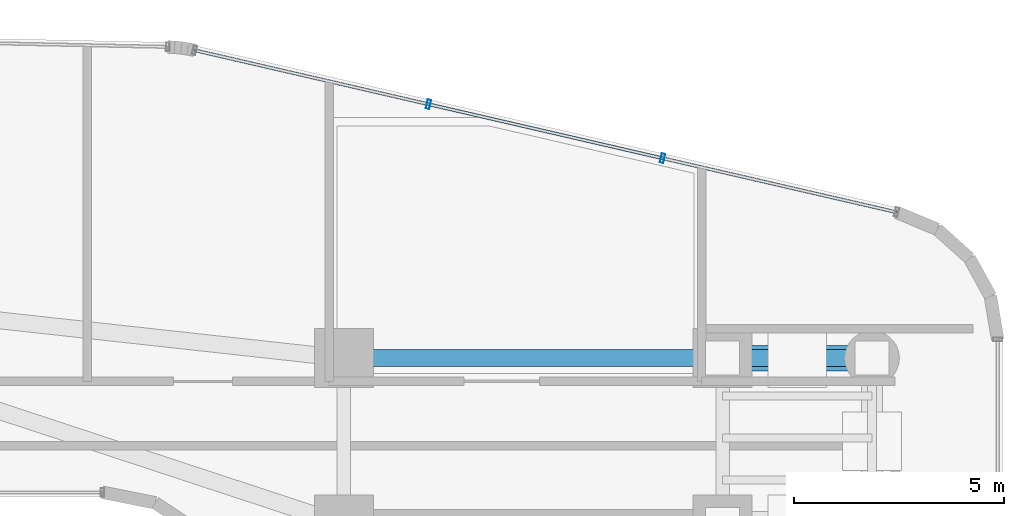
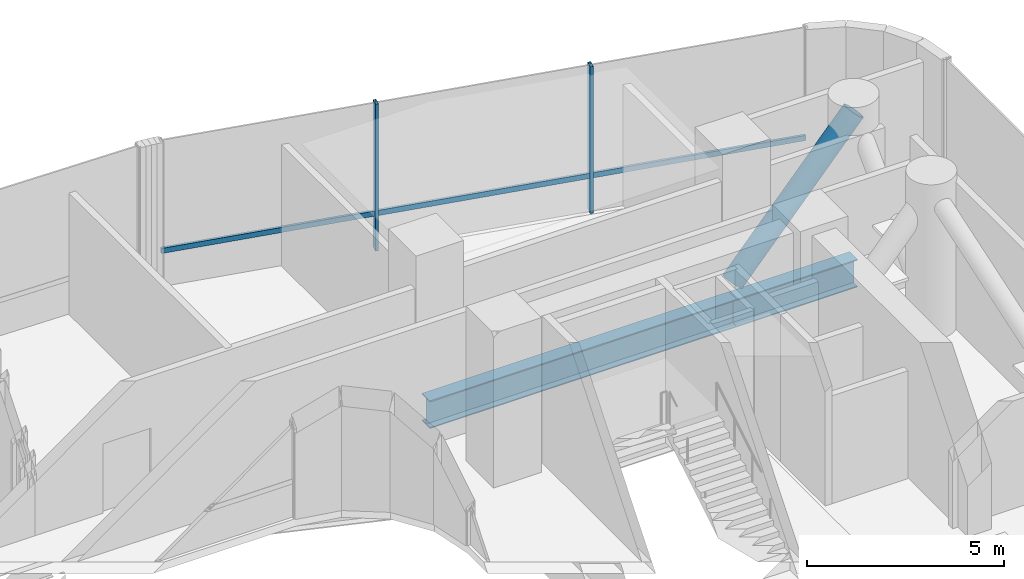
# One storey, part 28 of 39: 4 members, 2 beams, 1 element without a shape of its own.
"""IFC4 building model written with IfcOpenShell, lengths in metres."""

from ifc_helpers import new_model, si_unit, direction, frame, origin, origin_2d, place, context, subcontext, project, spatial, hollow_rectangle, hollow_circle, i_section, extrude, source, transform, mapped, material, material_profile, profile_set, type_object, element, aggregate, save


model = new_model("IFC4")

# Units and contexts
model_context = context("Model", 3, precision=1e-05, world=origin(), true_north=direction((0.0, 1.0)))
body_context = subcontext(model_context, "Body", "Model", "MODEL_VIEW")
ifc_project = project(units=[si_unit("LENGTHUNIT", "METRE"), si_unit("AREAUNIT", "SQUARE_METRE"), si_unit("VOLUMEUNIT", "CUBIC_METRE"), si_unit("PLANEANGLEUNIT", "RADIAN"), si_unit("MASSUNIT", "GRAM", prefix="KILO")], contexts=[model_context])

# Site, building, storey
site_placement = place(None, origin())
site = spatial("IfcSite", under=ifc_project, at=site_placement, CompositionType="ELEMENT")
building_placement = place(site_placement, origin())
building = spatial("IfcBuilding", under=site, at=building_placement, Name="Valdorenza Pilgrim Sanctuary Tower", CompositionType="ELEMENT")
storey_placement = place(building_placement, frame((0.0, 0.0, 96.300048828125)))
storey = spatial("IfcBuildingStorey", under=building, at=storey_placement, Name="L24", CompositionType="ELEMENT", Elevation=96.300048828125)

# Beams
ifc_material_1 = material(Name="Steel ASTM A992 Grade 50", Category="steel")
ifc_material_profile_1 = material_profile(ifc_material_1, i_section(OverallWidth=0.39990234375, OverallDepth=0.862060546875, WebThickness=0.019775390625, FlangeThickness=0.032470703125, at=origin_2d()), Name="W33X221")
ifc_profile_set_1 = profile_set([ifc_material_profile_1], Name="Steel ASTM A992 Grade 50")
beam_type = type_object("IfcBeamType", Name="STR-BM-GRD-W33", PredefinedType="BEAM", material=ifc_profile_set_1)
shared_shape_1 = source(origin(), body_context, "Body", "SweptSolid", [
    extrude(i_section(OverallWidth=0.39990234375, OverallDepth=0.862060546875, WebThickness=0.019775390625, FlangeThickness=0.032470703125, at=origin_2d()), origin(), (0.0, 0.0, 1.0), 9.0),
])
beam_1_placement = place(storey_placement, frame((15.85009765625, 13.5, -0.671142578125), z_axis=(1.0, 0.0, 0.0), x_axis=(0.0, 1.0, 0.0)))
element("IfcBeam", 1, at=beam_1_placement, inside=storey, type_object=beam_type, Name="L24 Floor Girder CB-XC-N2", PredefinedType="BEAM", context=body_context, shape_type="MappedRepresentation", body=[
    mapped(shared_shape_1, transform((0.0, 0.0, 0.0), x_axis=(1.0, 0.0, 0.0), y_axis=(0.0, 1.0, 0.0), z_axis=(0.0, 0.0, 1.0), scale=1.0)),
])
shared_shape_2 = source(origin(), body_context, "Body", "SweptSolid", [
    extrude(i_section(OverallWidth=0.39990234375, OverallDepth=0.862060546875, WebThickness=0.019775390625, FlangeThickness=0.032470703125, at=origin_2d()), origin(), (0.0, 0.0, 1.0), 3.5498046875),
])
beam_2_placement = place(storey_placement, frame((24.85009765625, 13.5, -0.671142578125), z_axis=(1.0, 0.0, 0.0), x_axis=(0.0, 1.0, 0.0)))
element("IfcBeam", 2, at=beam_2_placement, inside=storey, type_object=beam_type, Name="L24 Floor Girder WB-XE-N2", PredefinedType="BEAM", context=body_context, shape_type="MappedRepresentation", body=[
    mapped(shared_shape_2, transform((0.0, 0.0, 0.0), x_axis=(1.0, 0.0, 0.0), y_axis=(0.0, 1.0, 0.0), z_axis=(0.0, 0.0, 1.0), scale=1.0)),
])

# Member
ifc_material_2 = material(Name="Steel S355J2", Category="steel")
ifc_material_profile_2 = material_profile(ifc_material_2, hollow_circle(Radius=0.304931640625, WallThickness=0.02490234375, at=origin_2d()), Name="CHS 610x25")
ifc_profile_set_2 = profile_set([ifc_material_profile_2], Name="Steel S355J2")
member_type_1 = type_object("IfcMemberType", Name="STR-MB-CHS-610", PredefinedType="STRUT", material=ifc_profile_set_2)
shared_shape_3 = source(origin(), body_context, "Body", "SweptSolid", [
    extrude(hollow_circle(Radius=0.304931640625, WallThickness=0.02490234375, at=origin_2d()), origin(), (0.0, 0.0, 1.0), 5.385498046875),
])
member_1_placement = place(storey_placement, frame((24.85009765625, 13.5, 0.199951171875), z_axis=(0.659136625441, 0.0, 0.752023210415), x_axis=(0.0, 1.0, 0.0)))
element("IfcMember", 3, at=member_1_placement, inside=storey, type_object=member_type_1, Name="L24 East Wing Outrigger Truss Strut WB4", PredefinedType="STRUT", context=body_context, shape_type="MappedRepresentation", body=[
    mapped(shared_shape_3, transform((0.0, 0.0, 0.0), x_axis=(1.0, 0.0, 0.0), y_axis=(0.0, 1.0, 0.0), z_axis=(0.0, 0.0, 1.0), scale=1.0)),
])

# Curtain wall, members
ifc_material_3 = material(Name="Curtain-wall IGU glazing", Category="glass")
curtain_wall_type = type_object("IfcCurtainWallType", Name="CW-SYS-03", PredefinedType="NOTDEFINED", material=ifc_material_3)
curtain_wall_placement = place(storey_placement, origin())
curtain_wall = element("IfcCurtainWall", 4, at=curtain_wall_placement, inside=storey, type_object=curtain_wall_type, Name="L24 Curtain Wall CW-L24-1-16", PredefinedType="NOTDEFINED")
ifc_material_4 = material(Name="Anodised aluminium AW-6060", Category="aluminium")
ifc_material_profile_3 = material_profile(ifc_material_4, hollow_rectangle(XDim=0.074951171875, YDim=0.159912109375, WallThickness=0.00390625, at=origin_2d()), Name="ALU-T 160x75x4")
ifc_profile_set_3 = profile_set([ifc_material_profile_3], Name="Anodised aluminium AW-6060")
member_type_2 = type_object("IfcMemberType", Name="CW-TRN-03", PredefinedType="USERDEFINED", material=ifc_profile_set_3)
shared_shape_4 = source(origin(), body_context, "Body", "SweptSolid", [
    extrude(hollow_rectangle(XDim=0.074951171875, YDim=0.159912109375, WallThickness=0.00390625, at=origin_2d()), origin(), (0.0, 0.0, 1.0), 17.125244140625),
])
member_2_placement = place(storey_placement, frame((12.299072265625, 20.818115234375, 1.119873046875), z_axis=(0.974390715149, -0.224861589051, 0.0), x_axis=(0.224861589051, 0.974390715149, 0.0)))
member_2 = element("IfcMember", 5, at=member_2_placement, type_object=member_type_2, Name="CW-L24-1-16 Transom 1", ObjectType="TRANSOM", PredefinedType="USERDEFINED", context=body_context, shape_type="MappedRepresentation", body=[
    mapped(shared_shape_4, transform((0.0, 0.0, 0.0), x_axis=(1.0, 0.0, 0.0), y_axis=(0.0, 1.0, 0.0), z_axis=(0.0, 0.0, 1.0), scale=1.0)),
])
ifc_material_profile_4 = material_profile(ifc_material_4, hollow_rectangle(XDim=0.0849609375, YDim=0.219970703125, WallThickness=0.0048828125, at=origin_2d()), Name="ALU-M 220x85x5")
ifc_profile_set_4 = profile_set([ifc_material_profile_4], Name="Anodised aluminium AW-6060")
member_type_3 = type_object("IfcMemberType", Name="CW-MUL-03", PredefinedType="MULLION", material=ifc_profile_set_4)
shared_shape_5 = source(origin(), body_context, "Body", "SweptSolid", [
    extrude(hollow_rectangle(XDim=0.0849609375, YDim=0.219970703125, WallThickness=0.0048828125, at=origin_2d()), origin(), (0.0, 0.0, 1.0), 4.56005859375),
])
member_3_placement = place(storey_placement, frame((17.861328125, 19.534423828125, 0.0), z_axis=(0.0, 0.0, 1.0), x_axis=(0.974389691758, -0.224866023659, 0.0)))
member_3 = element("IfcMember", 6, at=member_3_placement, type_object=member_type_3, Name="CW-L24-1-16 Mullion 2", PredefinedType="MULLION", context=body_context, shape_type="MappedRepresentation", body=[
    mapped(shared_shape_5, transform((0.0, 0.0, 0.0), x_axis=(1.0, 0.0, 0.0), y_axis=(0.0, 1.0, 0.0), z_axis=(0.0, 0.0, 1.0), scale=1.0)),
])
member_4_placement = place(storey_placement, frame((23.423583984375, 18.2509765625, 0.0), z_axis=(0.0, 0.0, 1.0), x_axis=(0.974389691758, -0.224866023659, 0.0)))
member_4 = element("IfcMember", 7, at=member_4_placement, type_object=member_type_3, Name="CW-L24-1-16 Mullion 3", PredefinedType="MULLION", context=body_context, shape_type="MappedRepresentation", body=[
    mapped(shared_shape_5, transform((0.0, 0.0, 0.0), x_axis=(1.0, 0.0, 0.0), y_axis=(0.0, 1.0, 0.0), z_axis=(0.0, 0.0, 1.0), scale=1.0)),
])
aggregate(curtain_wall, [member_3, member_4, member_2])

save(model, "model.ifc")
